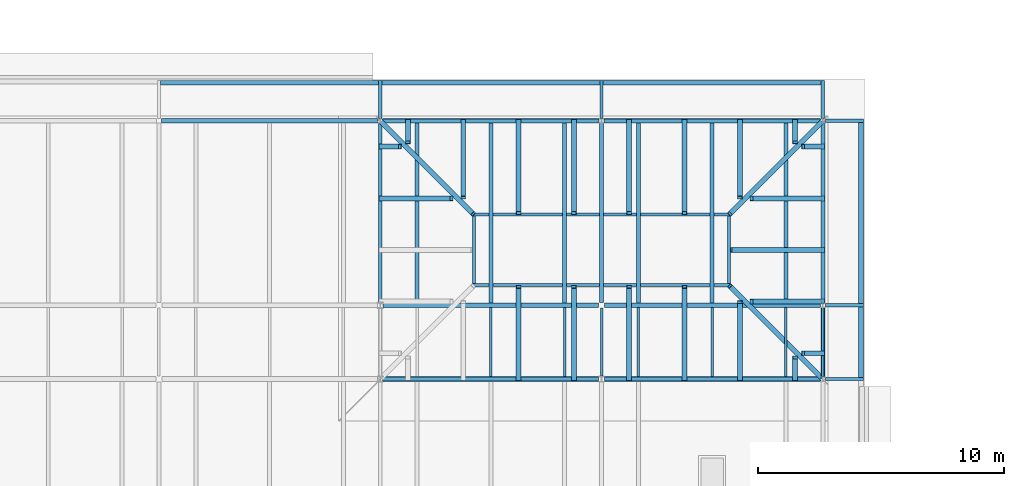
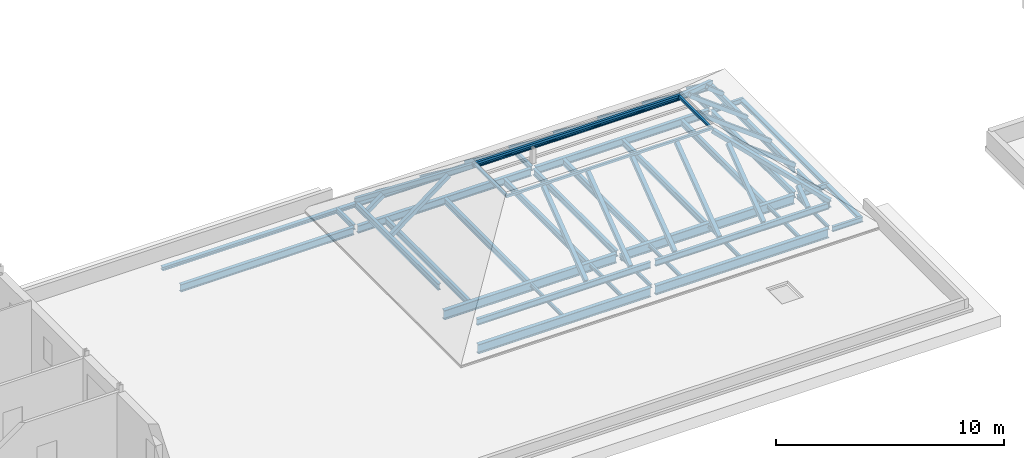
# One storey, part 10 of 42: 40 beams, 28 members.
"""IFC4 building model written with IfcOpenShell, lengths in metres."""

from ifc_helpers import new_model, si_unit, direction, frame, origin, origin_2d, place, context, subcontext, project, spatial, hollow_rectangle, i_section, extrude, material, material_profile, profile_set, type_object, element, save


model = new_model("IFC4")

# Units and contexts
model_context = context("Model", 3, precision=1e-05, world=origin(), true_north=direction((0.0, 1.0)))
body_context = subcontext(model_context, "Body", "Model", "MODEL_VIEW")
ifc_project = project(units=[si_unit("LENGTHUNIT", "METRE"), si_unit("AREAUNIT", "SQUARE_METRE"), si_unit("VOLUMEUNIT", "CUBIC_METRE"), si_unit("PLANEANGLEUNIT", "RADIAN"), si_unit("MASSUNIT", "GRAM", prefix="KILO")], contexts=[model_context])

# Site, building, storey
site_placement = place(None, origin())
site = spatial("IfcSite", under=ifc_project, at=site_placement, CompositionType="ELEMENT")
building_placement = place(site_placement, origin())
building = spatial("IfcBuilding", under=site, at=building_placement, Name="Golden Quay Civic Hall", CompositionType="ELEMENT")
storey_placement = place(building_placement, frame((0.0, 0.0, 22.800048828125)))
storey = spatial("IfcBuildingStorey", under=building, at=storey_placement, Name="L05", CompositionType="ELEMENT", Elevation=22.800048828125)

# Beams
ifc_material_1 = material(Name="Steel S355", Category="steel")
ifc_material_profile_1 = material_profile(ifc_material_1, i_section(OverallWidth=0.199951171875, OverallDepth=0.18994140625, WebThickness=0.006591796875, FlangeThickness=0.010009765625, FilletRadius=0.01806640625, at=origin_2d()), Name="HEA 200")
ifc_profile_set_1 = profile_set([ifc_material_profile_1], Name="Steel S355")
beam_type_1 = type_object("IfcBeamType", Name="Eave edge beam HEA 200", PredefinedType="BEAM", material=ifc_profile_set_1)
for number, where, z_axis, x_axis, name in (
    (1, (27.0673828125, 82.550048828125, -0.344970703125), (1.0, 0.0, 0.0), (0.0, 1.0, 0.0), "Eave edge beam HEA 200 L05 1"),
    (2, (36.0673828125, 82.550048828125, -0.344970703125), (1.0, 0.0, 0.0), (0.0, 1.0, 0.0), "Eave edge beam HEA 200 L05 2"),
    (3, (45.0673828125, 82.550048828125, -0.344970703125), (1.0, 0.0, 0.0), (0.0, 1.0, 0.0), "Eave edge beam HEA 200 L05 3"),
):
    element("IfcBeam", number, at=place(storey_placement, frame(where, z_axis=z_axis, x_axis=x_axis)), inside=storey, type_object=beam_type_1, Name=name, PredefinedType="BEAM", context=body_context, shape_type="SweptSolid", body=[
        extrude(i_section(OverallWidth=0.199951171875, OverallDepth=0.18994140625, WebThickness=0.006591796875, FlangeThickness=0.010009765625, FilletRadius=0.01806640625, at=origin_2d()), origin(), (0.0, 0.0, 1.0), 8.865234375),
    ])
beam_1_placement = place(storey_placement, frame((55.550048828125, 70.5673828125, -0.344970703125), z_axis=(0.0, 1.0, 0.0), x_axis=(-1.0, 0.0, 0.0)))
element("IfcBeam", 4, at=beam_1_placement, inside=storey, type_object=beam_type_1, Name="Eave edge beam HEA 200 L05 5", PredefinedType="BEAM", context=body_context, shape_type="SweptSolid", body=[
    extrude(i_section(OverallWidth=0.199951171875, OverallDepth=0.18994140625, WebThickness=0.006591796875, FlangeThickness=0.010009765625, FilletRadius=0.01806640625, at=origin_2d()), origin(), (0.0, 0.0, 1.0), 2.865234375),
])
beam_2_placement = place(storey_placement, frame((55.550048828125, 73.5673828125, -0.344970703125), z_axis=(0.0, 1.0, 0.0), x_axis=(-1.0, 0.0, 0.0)))
element("IfcBeam", 5, at=beam_2_placement, inside=storey, type_object=beam_type_1, Name="Eave edge beam HEA 200 L05 6", PredefinedType="BEAM", context=body_context, shape_type="SweptSolid", body=[
    extrude(i_section(OverallWidth=0.199951171875, OverallDepth=0.18994140625, WebThickness=0.006591796875, FlangeThickness=0.010009765625, FilletRadius=0.01806640625, at=origin_2d()), origin(), (0.0, 0.0, 1.0), 7.365234375),
])
ifc_material_2 = material(Name="Steel S355", Category="steel")
ifc_material_profile_2 = material_profile(ifc_material_2, i_section(OverallWidth=0.135009765625, OverallDepth=0.27001953125, WebThickness=0.006591796875, FlangeThickness=0.01025390625, FilletRadius=0.014892578125, at=origin_2d()), Name="IPE 270")
ifc_profile_set_2 = profile_set([ifc_material_profile_2], Name="Steel S355")
beam_type_2 = type_object("IfcBeamType", Name="Eave stub IPE 270", PredefinedType="BEAM", material=ifc_profile_set_2)
for number, where, z_axis, x_axis, name in (
    (6, (36.0, 81.094970703125, -0.385009765625), (0.0, 1.0, 0.0), (-1.0, 0.0, 0.0), "Eave stub IPE 270 L05 2"),
    (7, (45.0, 81.094970703125, -0.385009765625), (0.0, 1.0, 0.0), (-1.0, 0.0, 0.0), "Eave stub IPE 270 L05 3"),
    (8, (54.0, 81.094970703125, -0.385009765625), (0.0, 1.0, 0.0), (-1.0, 0.0, 0.0), "Eave stub IPE 270 L05 4"),
):
    element("IfcBeam", number, at=place(storey_placement, frame(where, z_axis=z_axis, x_axis=x_axis)), inside=storey, type_object=beam_type_2, Name=name, PredefinedType="BEAM", context=body_context, shape_type="SweptSolid", body=[
        extrude(i_section(OverallWidth=0.135009765625, OverallDepth=0.27001953125, WebThickness=0.006591796875, FlangeThickness=0.01025390625, FilletRadius=0.014892578125, at=origin_2d()), origin(), (0.0, 0.0, 1.0), 1.554931640625),
    ])
for number, where, z_axis, x_axis, name in (
    (9, (54.10009765625, 70.5, -0.385009765625), (1.0, 0.0, 0.0), (0.0, 1.0, 0.0), "Eave stub IPE 270 L05 6"),
    (10, (54.10009765625, 73.5, -0.385009765625), (1.0, 0.0, 0.0), (0.0, 1.0, 0.0), "Eave stub IPE 270 L05 7"),
    (11, (54.10009765625, 81.0, -0.385009765625), (1.0, 0.0, 0.0), (0.0, 1.0, 0.0), "Eave stub IPE 270 L05 8"),
):
    element("IfcBeam", number, at=place(storey_placement, frame(where, z_axis=z_axis, x_axis=x_axis)), inside=storey, type_object=beam_type_2, Name=name, PredefinedType="BEAM", context=body_context, shape_type="SweptSolid", body=[
        extrude(i_section(OverallWidth=0.135009765625, OverallDepth=0.27001953125, WebThickness=0.006591796875, FlangeThickness=0.01025390625, FilletRadius=0.014892578125, at=origin_2d()), origin(), (0.0, 0.0, 1.0), 1.5498046875),
    ])
ifc_material_3 = material(Name="Steel S355", Category="steel")
ifc_material_profile_3 = material_profile(ifc_material_3, i_section(OverallWidth=0.10009765625, OverallDepth=0.199951171875, WebThickness=0.005615234375, FlangeThickness=0.008544921875, FilletRadius=0.011962890625, at=origin_2d()), Name="IPE 200")
ifc_profile_set_3 = profile_set([ifc_material_profile_3], Name="Steel S355")
beam_type_3 = type_object("IfcBeamType", Name="Steel beam IPE 200", PredefinedType="BEAM", material=ifc_profile_set_3)
beam_3_placement = place(storey_placement, frame((45.0, 70.614990234375, -0.35009765625), z_axis=(0.0, 1.0, 0.0), x_axis=(-1.0, 0.0, 0.0)))
element("IfcBeam", 12, at=beam_3_placement, inside=storey, type_object=beam_type_3, Name="Beam S45-70.5", PredefinedType="BEAM", context=body_context, shape_type="SweptSolid", body=[
    extrude(i_section(OverallWidth=0.10009765625, OverallDepth=0.199951171875, WebThickness=0.005615234375, FlangeThickness=0.008544921875, FilletRadius=0.011962890625, at=origin_2d()), origin(), (0.0, 0.0, 1.0), 2.77001953125),
])
beam_4_placement = place(storey_placement, frame((54.0, 70.594970703125, -0.35009765625), z_axis=(0.0, 1.0, 0.0), x_axis=(-1.0, 0.0, 0.0)))
element("IfcBeam", 13, at=beam_4_placement, inside=storey, type_object=beam_type_3, Name="Beam S54-70.5", PredefinedType="BEAM", context=body_context, shape_type="SweptSolid", body=[
    extrude(i_section(OverallWidth=0.10009765625, OverallDepth=0.199951171875, WebThickness=0.005615234375, FlangeThickness=0.008544921875, FilletRadius=0.011962890625, at=origin_2d()), origin(), (0.0, 0.0, 1.0), 2.81005859375),
])
ifc_material_4 = material(Name="Steel S355", Category="steel")
ifc_material_profile_4 = material_profile(ifc_material_4, i_section(OverallWidth=0.159912109375, OverallDepth=0.330078125, WebThickness=0.007568359375, FlangeThickness=0.011474609375, FilletRadius=0.01806640625, at=origin_2d()), Name="IPE 330")
ifc_profile_set_4 = profile_set([ifc_material_profile_4], Name="Steel S355")
beam_type_4 = type_object("IfcBeamType", Name="Steel beam IPE 330", PredefinedType="BEAM", material=ifc_profile_set_4)
beam_5_placement = place(storey_placement, frame((45.0, 73.614990234375, -0.4150390625), z_axis=(0.0, 1.0, 0.0), x_axis=(-1.0, 0.0, 0.0)))
element("IfcBeam", 14, at=beam_5_placement, inside=storey, type_object=beam_type_4, Name="Beam S45-73.5", PredefinedType="BEAM", context=body_context, shape_type="SweptSolid", body=[
    extrude(i_section(OverallWidth=0.159912109375, OverallDepth=0.330078125, WebThickness=0.007568359375, FlangeThickness=0.011474609375, FilletRadius=0.01806640625, at=origin_2d()), origin(), (0.0, 0.0, 1.0), 7.2900390625),
])
beam_6_placement = place(storey_placement, frame((54.0, 73.594970703125, -0.4150390625), z_axis=(0.0, 1.0, 0.0), x_axis=(-1.0, 0.0, 0.0)))
element("IfcBeam", 15, at=beam_6_placement, inside=storey, type_object=beam_type_4, Name="Beam S54-73.5", PredefinedType="BEAM", context=body_context, shape_type="SweptSolid", body=[
    extrude(i_section(OverallWidth=0.159912109375, OverallDepth=0.330078125, WebThickness=0.007568359375, FlangeThickness=0.011474609375, FilletRadius=0.01806640625, at=origin_2d()), origin(), (0.0, 0.0, 1.0), 7.31005859375),
])
ifc_material_5 = material(Name="Steel S355", Category="steel")
ifc_material_profile_5 = material_profile(ifc_material_5, i_section(OverallWidth=0.179931640625, OverallDepth=0.39990234375, WebThickness=0.008544921875, FlangeThickness=0.013427734375, FilletRadius=0.02099609375, at=origin_2d()), Name="IPE 400")
ifc_profile_set_5 = profile_set([ifc_material_profile_5], Name="Steel S355")
beam_type_5 = type_object("IfcBeamType", Name="Steel beam IPE 400", PredefinedType="BEAM", material=ifc_profile_set_5)
for number, where, z_axis, x_axis, name in (
    (16, (27.10009765625, 81.0, -0.449951171875), (1.0, 0.0, 0.0), (0.0, 1.0, 0.0), "Beam L81-27"),
    (17, (36.10009765625, 81.0, -0.449951171875), (1.0, 0.0, 0.0), (0.0, 1.0, 0.0), "Beam L81-36"),
    (18, (45.10009765625, 81.0, -0.449951171875), (1.0, 0.0, 0.0), (0.0, 1.0, 0.0), "Beam L81-45"),
):
    element("IfcBeam", number, at=place(storey_placement, frame(where, z_axis=z_axis, x_axis=x_axis)), inside=storey, type_object=beam_type_5, Name=name, PredefinedType="BEAM", context=body_context, shape_type="SweptSolid", body=[
        extrude(i_section(OverallWidth=0.179931640625, OverallDepth=0.39990234375, WebThickness=0.008544921875, FlangeThickness=0.013427734375, FilletRadius=0.02099609375, at=origin_2d()), origin(), (0.0, 0.0, 1.0), 8.7998046875),
    ])
ifc_material_6 = material(Name="Steel S355", Category="steel")
ifc_material_profile_6 = material_profile(ifc_material_6, i_section(OverallWidth=0.199951171875, OverallDepth=0.5, WebThickness=0.01025390625, FlangeThickness=0.01611328125, FilletRadius=0.02099609375, at=origin_2d()), Name="IPE 500")
ifc_profile_set_6 = profile_set([ifc_material_profile_6], Name="Steel S355")
beam_type_6 = type_object("IfcBeamType", Name="Steel beam IPE 500", PredefinedType="BEAM", material=ifc_profile_set_6)
beam_7_placement = place(storey_placement, frame((36.1201171875, 70.5, -0.5), z_axis=(1.0, 0.0, 0.0), x_axis=(0.0, 1.0, 0.0)))
element("IfcBeam", 19, at=beam_7_placement, inside=storey, type_object=beam_type_6, Name="Beam L70.5-36", PredefinedType="BEAM", context=body_context, shape_type="SweptSolid", body=[
    extrude(i_section(OverallWidth=0.199951171875, OverallDepth=0.5, WebThickness=0.01025390625, FlangeThickness=0.01611328125, FilletRadius=0.02099609375, at=origin_2d()), origin(), (0.0, 0.0, 1.0), 8.759765625),
])
beam_8_placement = place(storey_placement, frame((45.1201171875, 70.5, -0.5), z_axis=(1.0, 0.0, 0.0), x_axis=(0.0, 1.0, 0.0)))
element("IfcBeam", 20, at=beam_8_placement, inside=storey, type_object=beam_type_6, Name="Beam L70.5-45", PredefinedType="BEAM", context=body_context, shape_type="SweptSolid", body=[
    extrude(i_section(OverallWidth=0.199951171875, OverallDepth=0.5, WebThickness=0.01025390625, FlangeThickness=0.01611328125, FilletRadius=0.02099609375, at=origin_2d()), origin(), (0.0, 0.0, 1.0), 8.77978515625),
])
beam_9_placement = place(storey_placement, frame((36.1201171875, 73.5, -0.5), z_axis=(1.0, 0.0, 0.0), x_axis=(0.0, 1.0, 0.0)))
element("IfcBeam", 21, at=beam_9_placement, inside=storey, type_object=beam_type_6, Name="Beam L73.5-36", PredefinedType="BEAM", context=body_context, shape_type="SweptSolid", body=[
    extrude(i_section(OverallWidth=0.199951171875, OverallDepth=0.5, WebThickness=0.01025390625, FlangeThickness=0.01611328125, FilletRadius=0.02099609375, at=origin_2d()), origin(), (0.0, 0.0, 1.0), 8.759765625),
])
beam_10_placement = place(storey_placement, frame((45.1201171875, 73.5, -0.5), z_axis=(1.0, 0.0, 0.0), x_axis=(0.0, 1.0, 0.0)))
element("IfcBeam", 22, at=beam_10_placement, inside=storey, type_object=beam_type_6, Name="Beam L73.5-45", PredefinedType="BEAM", context=body_context, shape_type="SweptSolid", body=[
    extrude(i_section(OverallWidth=0.199951171875, OverallDepth=0.5, WebThickness=0.01025390625, FlangeThickness=0.01611328125, FilletRadius=0.02099609375, at=origin_2d()), origin(), (0.0, 0.0, 1.0), 8.77978515625),
])

# Members
ifc_material_7 = material(Name="Steel S355", Category="steel")
ifc_material_profile_7 = material_profile(ifc_material_7, hollow_rectangle(XDim=0.199951171875, YDim=0.199951171875, WallThickness=0.010009765625, at=origin_2d()), Name="SHS 200x200x10")
ifc_profile_set_7 = profile_set([ifc_material_profile_7], Name="Steel S355")
member_type_1 = type_object("IfcMemberType", Name="Steel jack rafter SHS 200x200x10", PredefinedType="RAFTER", material=ifc_profile_set_7)
for number, where, z_axis, x_axis, name in (
    (23, (41.625, 70.5, 1.18994140625), (0.0, 0.8, 0.6), (-1.0, 0.0, 0.0), "Jack rafter NW-E south 3"),
    (24, (43.875, 70.5, 1.18994140625), (0.0, 0.8, 0.6), (-1.0, 0.0, 0.0), "Jack rafter NW-E south 4"),
    (25, (46.125, 70.5, 1.18994140625), (0.0, 0.8, 0.6), (-1.0, 0.0, 0.0), "Jack rafter NW-E south 5"),
    (26, (48.375, 70.5, 1.18994140625), (0.0, 0.8, 0.6), (-1.0, 0.0, 0.0), "Jack rafter NW-E south 6"),
):
    element("IfcMember", number, at=place(storey_placement, frame(where, z_axis=z_axis, x_axis=x_axis)), inside=storey, type_object=member_type_1, Name=name, PredefinedType="RAFTER", context=body_context, shape_type="SweptSolid", body=[
        extrude(hollow_rectangle(XDim=0.199951171875, YDim=0.199951171875, WallThickness=0.010009765625, at=origin_2d()), origin(), (0.0, 0.0, 1.0), 4.6875),
    ])
member_1_placement = place(storey_placement, frame((50.625, 70.5, 1.18994140625), z_axis=(0.0, 0.8, 0.6), x_axis=(-1.0, 0.0, 0.0)))
element("IfcMember", 27, at=member_1_placement, inside=storey, type_object=member_type_1, Name="Jack rafter NW-E south 7", PredefinedType="RAFTER", context=body_context, shape_type="SweptSolid", body=[
    extrude(hollow_rectangle(XDim=0.199951171875, YDim=0.199951171875, WallThickness=0.010009765625, at=origin_2d()), origin(), (0.0, 0.0, 1.0), 3.90625),
])
for number, where, z_axis, x_axis, name in (
    (28, (52.875, 70.5, 1.18994140625), (0.0, 0.8, 0.6), (-1.0, 0.0, 0.0), "Jack rafter NW-E south 8"),
    (29, (37.125, 81.0, 1.18994140625), (0.0, -0.8, 0.6), (1.0, 0.0, 0.0), "Jack rafter NW-E north 1"),
):
    element("IfcMember", number, at=place(storey_placement, frame(where, z_axis=z_axis, x_axis=x_axis)), inside=storey, type_object=member_type_1, Name=name, PredefinedType="RAFTER", context=body_context, shape_type="SweptSolid", body=[
        extrude(hollow_rectangle(XDim=0.199951171875, YDim=0.199951171875, WallThickness=0.010009765625, at=origin_2d()), origin(), (0.0, 0.0, 1.0), 1.09375),
    ])
member_2_placement = place(storey_placement, frame((39.375, 81.0, 1.18994140625), z_axis=(0.0, -0.8, 0.6), x_axis=(1.0, 0.0, 0.0)))
element("IfcMember", 30, at=member_2_placement, inside=storey, type_object=member_type_1, Name="Jack rafter NW-E north 2", PredefinedType="RAFTER", context=body_context, shape_type="SweptSolid", body=[
    extrude(hollow_rectangle(XDim=0.199951171875, YDim=0.199951171875, WallThickness=0.010009765625, at=origin_2d()), origin(), (0.0, 0.0, 1.0), 3.90625),
])
for number, where, z_axis, x_axis, name in (
    (31, (41.625, 81.0, 1.18994140625), (0.0, -0.8, 0.6), (1.0, 0.0, 0.0), "Jack rafter NW-E north 3"),
    (32, (43.875, 81.0, 1.18994140625), (0.0, -0.8, 0.6), (1.0, 0.0, 0.0), "Jack rafter NW-E north 4"),
    (33, (46.125, 81.0, 1.18994140625), (0.0, -0.8, 0.6), (1.0, 0.0, 0.0), "Jack rafter NW-E north 5"),
    (34, (48.375, 81.0, 1.18994140625), (0.0, -0.8, 0.6), (1.0, 0.0, 0.0), "Jack rafter NW-E north 6"),
):
    element("IfcMember", number, at=place(storey_placement, frame(where, z_axis=z_axis, x_axis=x_axis)), inside=storey, type_object=member_type_1, Name=name, PredefinedType="RAFTER", context=body_context, shape_type="SweptSolid", body=[
        extrude(hollow_rectangle(XDim=0.199951171875, YDim=0.199951171875, WallThickness=0.010009765625, at=origin_2d()), origin(), (0.0, 0.0, 1.0), 4.6875),
    ])
member_3_placement = place(storey_placement, frame((50.625, 81.0, 1.18994140625), z_axis=(0.0, -0.8, 0.6), x_axis=(1.0, 0.0, 0.0)))
element("IfcMember", 35, at=member_3_placement, inside=storey, type_object=member_type_1, Name="Jack rafter NW-E north 7", PredefinedType="RAFTER", context=body_context, shape_type="SweptSolid", body=[
    extrude(hollow_rectangle(XDim=0.199951171875, YDim=0.199951171875, WallThickness=0.010009765625, at=origin_2d()), origin(), (0.0, 0.0, 1.0), 3.90625),
])
member_4_placement = place(storey_placement, frame((52.875, 81.0, 1.18994140625), z_axis=(0.0, -0.8, 0.6), x_axis=(1.0, 0.0, 0.0)))
element("IfcMember", 36, at=member_4_placement, inside=storey, type_object=member_type_1, Name="Jack rafter NW-E north 8", PredefinedType="RAFTER", context=body_context, shape_type="SweptSolid", body=[
    extrude(hollow_rectangle(XDim=0.199951171875, YDim=0.199951171875, WallThickness=0.010009765625, at=origin_2d()), origin(), (0.0, 0.0, 1.0), 1.09375),
])
member_5_placement = place(storey_placement, frame((36.0, 77.85009765625, 1.18994140625), z_axis=(0.799983835699, 0.0, 0.600021551797), x_axis=(0.0, 1.0, 0.0)))
element("IfcMember", 37, at=member_5_placement, inside=storey, type_object=member_type_1, Name="Jack rafter NW-E west 4", PredefinedType="RAFTER", context=body_context, shape_type="SweptSolid", body=[
    extrude(hollow_rectangle(XDim=0.199951171875, YDim=0.199951171875, WallThickness=0.010009765625, at=origin_2d()), origin(), (0.0, 0.0, 1.0), 3.625),
])
for number, where, z_axis, x_axis, name in (
    (38, (36.0, 79.949951171875, 1.18994140625), (0.799970705032, 0.0, 0.600039057971), (0.0, 1.0, 0.0), "Jack rafter NW-E west 5"),
    (39, (54.0, 71.550048828125, 1.18994140625), (-0.799970705032, 0.0, 0.600039057971), (0.0, -1.0, 0.0), "Jack rafter NW-E east 1"),
):
    element("IfcMember", number, at=place(storey_placement, frame(where, z_axis=z_axis, x_axis=x_axis)), inside=storey, type_object=member_type_1, Name=name, PredefinedType="RAFTER", context=body_context, shape_type="SweptSolid", body=[
        extrude(hollow_rectangle(XDim=0.199951171875, YDim=0.199951171875, WallThickness=0.010009765625, at=origin_2d()), origin(), (0.0, 0.0, 1.0), 1.0),
    ])
member_6_placement = place(storey_placement, frame((54.0, 73.64990234375, 1.18994140625), z_axis=(-0.799983835699, 0.0, 0.600021551797), x_axis=(0.0, -1.0, 0.0)))
element("IfcMember", 40, at=member_6_placement, inside=storey, type_object=member_type_1, Name="Jack rafter NW-E east 2", PredefinedType="RAFTER", context=body_context, shape_type="SweptSolid", body=[
    extrude(hollow_rectangle(XDim=0.199951171875, YDim=0.199951171875, WallThickness=0.010009765625, at=origin_2d()), origin(), (0.0, 0.0, 1.0), 3.625),
])
member_7_placement = place(storey_placement, frame((54.0, 75.75, 1.18994140625), z_axis=(-0.8, 0.0, 0.6), x_axis=(0.0, -1.0, 0.0)))
element("IfcMember", 41, at=member_7_placement, inside=storey, type_object=member_type_1, Name="Jack rafter NW-E east 3", PredefinedType="RAFTER", context=body_context, shape_type="SweptSolid", body=[
    extrude(hollow_rectangle(XDim=0.199951171875, YDim=0.199951171875, WallThickness=0.010009765625, at=origin_2d()), origin(), (0.0, 0.0, 1.0), 4.6875),
])
member_8_placement = place(storey_placement, frame((54.0, 77.85009765625, 1.18994140625), z_axis=(-0.799983835699, 0.0, 0.600021551797), x_axis=(0.0, -1.0, 0.0)))
element("IfcMember", 42, at=member_8_placement, inside=storey, type_object=member_type_1, Name="Jack rafter NW-E east 4", PredefinedType="RAFTER", context=body_context, shape_type="SweptSolid", body=[
    extrude(hollow_rectangle(XDim=0.199951171875, YDim=0.199951171875, WallThickness=0.010009765625, at=origin_2d()), origin(), (0.0, 0.0, 1.0), 3.625),
])
member_9_placement = place(storey_placement, frame((54.0, 79.949951171875, 1.18994140625), z_axis=(-0.799970705032, 0.0, 0.600039057971), x_axis=(0.0, -1.0, 0.0)))
element("IfcMember", 43, at=member_9_placement, inside=storey, type_object=member_type_1, Name="Jack rafter NW-E east 5", PredefinedType="RAFTER", context=body_context, shape_type="SweptSolid", body=[
    extrude(hollow_rectangle(XDim=0.199951171875, YDim=0.199951171875, WallThickness=0.010009765625, at=origin_2d()), origin(), (0.0, 0.0, 1.0), 1.0),
])

# Beams
ifc_material_8 = material(Name="Steel S355", Category="steel")
ifc_material_profile_8 = material_profile(ifc_material_8, i_section(OverallWidth=0.10009765625, OverallDepth=0.199951171875, WebThickness=0.005615234375, FlangeThickness=0.008544921875, FilletRadius=0.011962890625, at=origin_2d()), Name="IPE 200")
ifc_profile_set_8 = profile_set([ifc_material_profile_8], Name="Steel S355")
beam_type_7 = type_object("IfcBeamType", Name="Steel joist IPE 200", PredefinedType="JOIST", material=ifc_profile_set_8)
for number, where, z_axis, x_axis, name in (
    (44, (40.5, 70.60009765625, -0.35009765625), (0.0, 1.0, 0.0), (-1.0, 0.0, 0.0), "Joist J40.5-70.5"),
    (45, (43.5, 70.60009765625, -0.35009765625), (0.0, 1.0, 0.0), (-1.0, 0.0, 0.0), "Joist J43.5-70.5"),
    (46, (46.5, 70.60009765625, -0.35009765625), (0.0, 1.0, 0.0), (-1.0, 0.0, 0.0), "Joist J46.5-70.5"),
    (47, (49.5, 70.60009765625, -0.35009765625), (0.0, 1.0, 0.0), (-1.0, 0.0, 0.0), "Joist J49.5-70.5"),
    (48, (52.5, 70.60009765625, -0.35009765625), (0.0, 1.0, 0.0), (-1.0, 0.0, 0.0), "Joist J52.5-70.5"),
):
    element("IfcBeam", number, at=place(storey_placement, frame(where, z_axis=z_axis, x_axis=x_axis)), inside=storey, type_object=beam_type_7, Name=name, PredefinedType="JOIST", context=body_context, shape_type="SweptSolid", body=[
        extrude(i_section(OverallWidth=0.10009765625, OverallDepth=0.199951171875, WebThickness=0.005615234375, FlangeThickness=0.008544921875, FilletRadius=0.011962890625, at=origin_2d()), origin(), (0.0, 0.0, 1.0), 2.7998046875),
    ])
ifc_material_9 = material(Name="Steel S355", Category="steel")
ifc_material_profile_9 = material_profile(ifc_material_9, i_section(OverallWidth=0.159912109375, OverallDepth=0.330078125, WebThickness=0.007568359375, FlangeThickness=0.011474609375, FilletRadius=0.01806640625, at=origin_2d()), Name="IPE 330")
ifc_profile_set_9 = profile_set([ifc_material_profile_9], Name="Steel S355")
beam_type_8 = type_object("IfcBeamType", Name="Steel joist IPE 330", PredefinedType="JOIST", material=ifc_profile_set_9)
for number, where, z_axis, x_axis, name in (
    (49, (37.5, 73.60009765625, -0.4150390625), (0.0, 1.0, 0.0), (-1.0, 0.0, 0.0), "Joist J37.5-73.5"),
    (50, (40.5, 73.60009765625, -0.4150390625), (0.0, 1.0, 0.0), (-1.0, 0.0, 0.0), "Joist J40.5-73.5"),
    (51, (43.5, 73.60009765625, -0.4150390625), (0.0, 1.0, 0.0), (-1.0, 0.0, 0.0), "Joist J43.5-73.5"),
    (52, (46.5, 73.60009765625, -0.4150390625), (0.0, 1.0, 0.0), (-1.0, 0.0, 0.0), "Joist J46.5-73.5"),
    (53, (49.5, 73.60009765625, -0.4150390625), (0.0, 1.0, 0.0), (-1.0, 0.0, 0.0), "Joist J49.5-73.5"),
    (54, (52.5, 73.60009765625, -0.4150390625), (0.0, 1.0, 0.0), (-1.0, 0.0, 0.0), "Joist J52.5-73.5"),
):
    element("IfcBeam", number, at=place(storey_placement, frame(where, z_axis=z_axis, x_axis=x_axis)), inside=storey, type_object=beam_type_8, Name=name, PredefinedType="JOIST", context=body_context, shape_type="SweptSolid", body=[
        extrude(i_section(OverallWidth=0.159912109375, OverallDepth=0.330078125, WebThickness=0.007568359375, FlangeThickness=0.011474609375, FilletRadius=0.01806640625, at=origin_2d()), origin(), (0.0, 0.0, 1.0), 7.309814453125),
    ])

# Members
ifc_material_10 = material(Name="Steel S355", Category="steel")
ifc_material_profile_10 = material_profile(ifc_material_10, hollow_rectangle(XDim=0.199951171875, YDim=0.199951171875, WallThickness=0.010009765625, at=origin_2d()), Name="SHS 200x200x10")
ifc_profile_set_10 = profile_set([ifc_material_profile_10], Name="Steel S355")
member_type_2 = type_object("IfcMemberType", Name="Steel pavilion hip rafter SHS 200x200x10", PredefinedType="RAFTER", material=ifc_profile_set_10)
for number, where, z_axis, x_axis, name in (
    (55, (54.0, 70.5, 1.1533203125), (-0.625782928891, 0.625782928891, 0.465608689584), (-0.707106781187, -0.707106781187, 0.0), "Hip rafter NW-E south-east"),
    (56, (36.0, 81.0, 1.1533203125), (0.625782928891, -0.625782928891, 0.465608689584), (0.707106781187, 0.707106781187, 0.0), "Hip rafter NW-E north-west"),
    (57, (54.0, 81.0, 1.1533203125), (-0.625782928891, -0.625782928891, 0.465608689584), (0.707106781187, -0.707106781187, 0.0), "Hip rafter NW-E north-east"),
):
    element("IfcMember", number, at=place(storey_placement, frame(where, z_axis=z_axis, x_axis=x_axis)), inside=storey, type_object=member_type_2, Name=name, PredefinedType="RAFTER", context=body_context, shape_type="SweptSolid", body=[
        extrude(hollow_rectangle(XDim=0.199951171875, YDim=0.199951171875, WallThickness=0.010009765625, at=origin_2d()), origin(), (0.0, 0.0, 1.0), 6.04052734375),
    ])
ifc_material_11 = material(Name="Steel S355", Category="steel")
ifc_material_profile_11 = material_profile(ifc_material_11, hollow_rectangle(XDim=0.1201171875, YDim=0.1201171875, WallThickness=0.008056640625, at=origin_2d()), Name="SHS 120x120x8")
ifc_profile_set_11 = profile_set([ifc_material_profile_11], Name="Steel S355")
member_type_3 = type_object("IfcMemberType", Name="Steel roof purlin SHS 120x120x8", PredefinedType="PURLIN", material=ifc_profile_set_11)
for number, where, z_axis, x_axis, name in (
    (58, (39.75, 74.31494140625, 4.0673828125), (1.0, 0.0, 0.0), (0.0, 1.0, 0.0), "Cap purlin NW-E south"),
    (59, (39.75, 77.18505859375, 4.0673828125), (1.0, 0.0, 0.0), (0.0, 1.0, 0.0), "Cap purlin NW-E north"),
):
    element("IfcMember", number, at=place(storey_placement, frame(where, z_axis=z_axis, x_axis=x_axis)), inside=storey, type_object=member_type_3, Name=name, PredefinedType="PURLIN", context=body_context, shape_type="SweptSolid", body=[
        extrude(hollow_rectangle(XDim=0.1201171875, YDim=0.1201171875, WallThickness=0.008056640625, at=origin_2d()), origin(), (0.0, 0.0, 1.0), 10.5),
    ])
for number, where, z_axis, x_axis, name in (
    (60, (39.81494140625, 74.3798828125, 4.0673828125), (0.0, 1.0, 0.0), (-1.0, 0.0, 0.0), "Cap purlin NW-E west"),
    (61, (50.18505859375, 74.3798828125, 4.0673828125), (0.0, 1.0, 0.0), (-1.0, 0.0, 0.0), "Cap purlin NW-E east"),
):
    element("IfcMember", number, at=place(storey_placement, frame(where, z_axis=z_axis, x_axis=x_axis)), inside=storey, type_object=member_type_3, Name=name, PredefinedType="PURLIN", context=body_context, shape_type="SweptSolid", body=[
        extrude(hollow_rectangle(XDim=0.1201171875, YDim=0.1201171875, WallThickness=0.008056640625, at=origin_2d()), origin(), (0.0, 0.0, 1.0), 2.740234375),
    ])

# Beams
ifc_material_12 = material(Name="Steel S355", Category="steel")
ifc_material_profile_12 = material_profile(ifc_material_12, i_section(OverallWidth=0.159912109375, OverallDepth=0.330078125, WebThickness=0.007568359375, FlangeThickness=0.011474609375, FilletRadius=0.01806640625, at=origin_2d()), Name="IPE 330")
ifc_profile_set_12 = profile_set([ifc_material_profile_12], Name="Steel S355")
beam_type_9 = type_object("IfcBeamType", Name="Steel wall plate beam IPE 330", PredefinedType="BEAM", material=ifc_profile_set_12)
for number, where, z_axis, x_axis, name in (
    (62, (36.080078125, 70.5, 0.945068359375), (1.0, 0.0, 0.0), (0.0, 1.0, 0.0), "Wall plate beam NW-E S1"),
    (63, (45.1201171875, 70.5, 0.945068359375), (1.0, 0.0, 0.0), (0.0, 1.0, 0.0), "Wall plate beam NW-E S2"),
):
    element("IfcBeam", number, at=place(storey_placement, frame(where, z_axis=z_axis, x_axis=x_axis)), inside=storey, type_object=beam_type_9, Name=name, PredefinedType="BEAM", context=body_context, shape_type="SweptSolid", body=[
        extrude(i_section(OverallWidth=0.159912109375, OverallDepth=0.330078125, WebThickness=0.007568359375, FlangeThickness=0.011474609375, FilletRadius=0.01806640625, at=origin_2d()), origin(), (0.0, 0.0, 1.0), 8.7998046875),
    ])
for number, where, z_axis, x_axis, name in (
    (64, (36.080078125, 81.0, 0.945068359375), (1.0, 0.0, 0.0), (0.0, 1.0, 0.0), "Wall plate beam NW-E N1"),
    (65, (45.10009765625, 81.0, 0.945068359375), (1.0, 0.0, 0.0), (0.0, 1.0, 0.0), "Wall plate beam NW-E N2"),
):
    element("IfcBeam", number, at=place(storey_placement, frame(where, z_axis=z_axis, x_axis=x_axis)), inside=storey, type_object=beam_type_9, Name=name, PredefinedType="BEAM", context=body_context, shape_type="SweptSolid", body=[
        extrude(i_section(OverallWidth=0.159912109375, OverallDepth=0.330078125, WebThickness=0.007568359375, FlangeThickness=0.011474609375, FilletRadius=0.01806640625, at=origin_2d()), origin(), (0.0, 0.0, 1.0), 8.81982421875),
    ])
beam_11_placement = place(storey_placement, frame((36.0, 73.614990234375, 0.945068359375), z_axis=(0.0, 1.0, 0.0), x_axis=(-1.0, 0.0, 0.0)))
element("IfcBeam", 66, at=beam_11_placement, inside=storey, type_object=beam_type_9, Name="Wall plate beam NW-E W2", PredefinedType="BEAM", context=body_context, shape_type="SweptSolid", body=[
    extrude(i_section(OverallWidth=0.159912109375, OverallDepth=0.330078125, WebThickness=0.007568359375, FlangeThickness=0.011474609375, FilletRadius=0.01806640625, at=origin_2d()), origin(), (0.0, 0.0, 1.0), 7.385009765625),
])
beam_12_placement = place(storey_placement, frame((54.0, 70.5, 0.945068359375), z_axis=(0.0, 1.0, 0.0), x_axis=(-1.0, 0.0, 0.0)))
element("IfcBeam", 67, at=beam_12_placement, inside=storey, type_object=beam_type_9, Name="Wall plate beam NW-E E1", PredefinedType="BEAM", context=body_context, shape_type="SweptSolid", body=[
    extrude(i_section(OverallWidth=0.159912109375, OverallDepth=0.330078125, WebThickness=0.007568359375, FlangeThickness=0.011474609375, FilletRadius=0.01806640625, at=origin_2d()), origin(), (0.0, 0.0, 1.0), 2.905029296875),
])
beam_13_placement = place(storey_placement, frame((54.0, 73.594970703125, 0.945068359375), z_axis=(0.0, 1.0, 0.0), x_axis=(-1.0, 0.0, 0.0)))
element("IfcBeam", 68, at=beam_13_placement, inside=storey, type_object=beam_type_9, Name="Wall plate beam NW-E E2", PredefinedType="BEAM", context=body_context, shape_type="SweptSolid", body=[
    extrude(i_section(OverallWidth=0.159912109375, OverallDepth=0.330078125, WebThickness=0.007568359375, FlangeThickness=0.011474609375, FilletRadius=0.01806640625, at=origin_2d()), origin(), (0.0, 0.0, 1.0), 7.405029296875),
])

save(model, "model.ifc")
